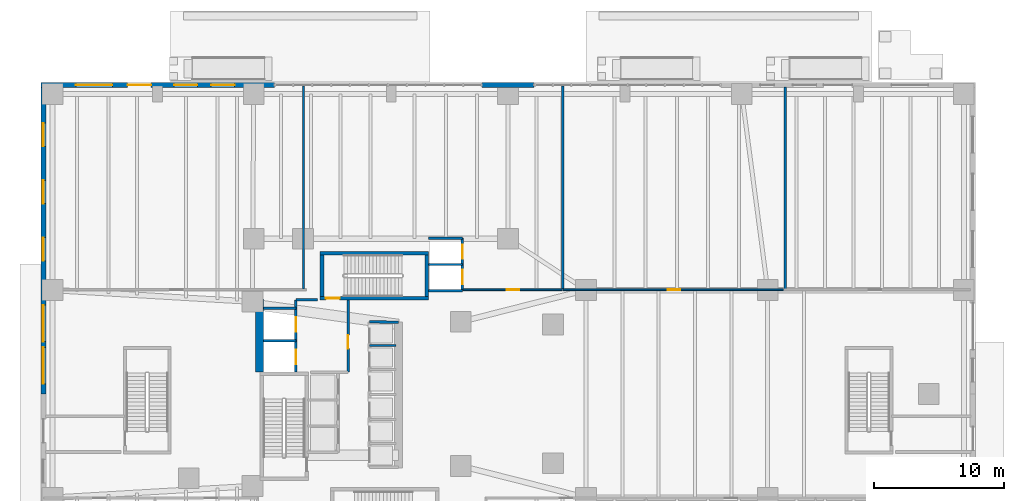
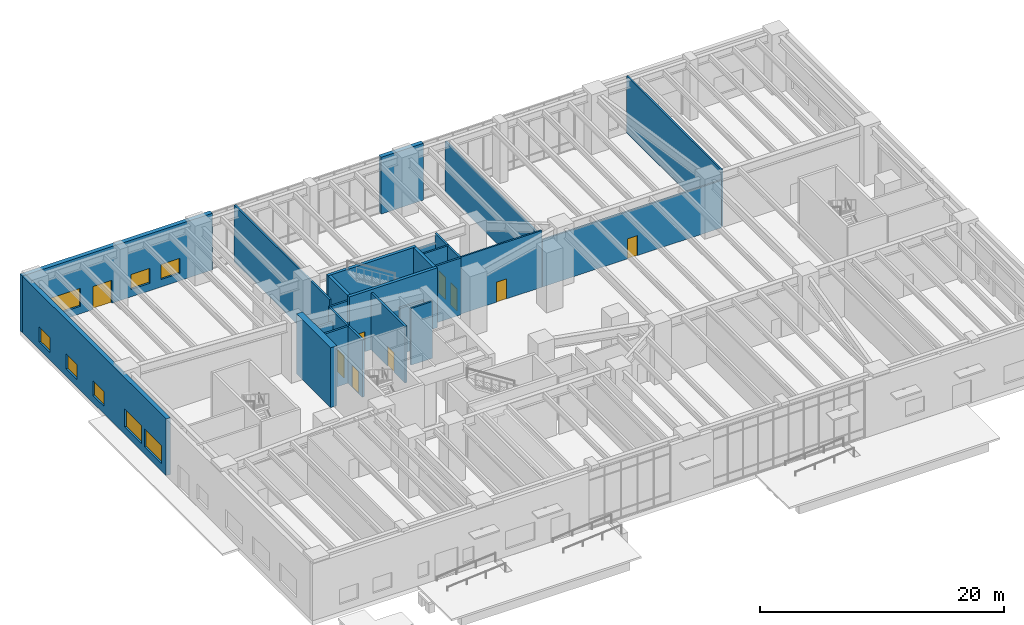
# One storey, part 21 of 28: 24 walls, 9 doors, 8 windows, 17 openings.
"""IFC4 building model written with IfcOpenShell, lengths in metres."""

from ifc_helpers import new_model, si_unit, direction, frame, frame_2d, origin, place, context, subcontext, project, spatial, rectangle, extrude, material, layer, layer_set, type_object, element, fill, save


model = new_model("IFC4")

# Units and contexts
model_context = context("Model", 3, precision=1e-05, world=origin(), true_north=direction((0.0, 1.0)))
body_context = subcontext(model_context, "Body", "Model", "MODEL_VIEW")
ifc_project = project(units=[si_unit("LENGTHUNIT", "METRE"), si_unit("AREAUNIT", "SQUARE_METRE"), si_unit("VOLUMEUNIT", "CUBIC_METRE"), si_unit("PLANEANGLEUNIT", "RADIAN"), si_unit("MASSUNIT", "GRAM", prefix="KILO"), si_unit("THERMODYNAMICTEMPERATUREUNIT", "KELVIN"), si_unit("POWERUNIT", "WATT")], contexts=[model_context])

# Site, building, storey
site_placement = place(None, origin())
site = spatial("IfcSite", under=ifc_project, at=site_placement, CompositionType="ELEMENT")
building_placement = place(site_placement, origin())
building = spatial("IfcBuilding", under=site, at=building_placement, Name="Skarre Station Tower", CompositionType="ELEMENT")
storey_placement = place(building_placement, origin())
storey = spatial("IfcBuildingStorey", under=building, at=storey_placement, Name="L01", CompositionType="ELEMENT", Elevation=0.0)

# Wall, opening, door
ifc_material_1 = material(Name="Acoustic Steel-Stud Gypsum Partition", Category="steel")
ifc_layer_1 = layer(ifc_material_1, 0.14990234375, Name="Acoustic Steel-Stud Gypsum Partition")
ifc_layer_set_1 = layer_set([ifc_layer_1], Name="Acoustic Steel-Stud Gypsum Partition")
wall_type_1 = type_object("IfcWallType", Name="Fire-Rated Corridor Acoustic Partition 150", PredefinedType="PARTITIONING", material=ifc_layer_set_1)
wall_1_placement = place(storey_placement, frame((40.18701171875, 32.02001953125, 0.0), z_axis=(0.0, 0.0, 1.0), x_axis=(-1.0, 0.0, 0.0)))
wall_1 = element("IfcWall", 1, at=wall_1_placement, inside=storey, type_object=wall_type_1, Name="L01 Interior Partition WL-PT-L01-PDN2-CW", PredefinedType="PARTITIONING", context=body_context, shape_type="SweptSolid", body=[
    extrude(rectangle(XDim=7.64599609375, YDim=0.14990234375, at=frame_2d((3.822998046875, 0.0))), origin(), (0.0, 0.0, 1.0), 5.68994140625),
])
opening_1_placement = place(wall_1_placement, frame((3.343017578125, 0.0, 0.0)))
opening_1 = element("IfcOpeningElement", 2, at=opening_1_placement, cuts=wall_1, Name="Opening DR-FD60", PredefinedType="OPENING", context=body_context, shape_type="SweptSolid", body=[
    extrude(rectangle(XDim=0.9599609375, YDim=2.0, at=frame_2d((0.47998046875, 1.0))), frame((0.0, 0.0849609375, 0.0), z_axis=(0.0, -1.0, 0.0), x_axis=(1.0, 0.0, 0.0)), (0.0, 0.0, 1.0), 0.169921875),
])
ifc_material_2 = material(Name="Nordic White-Oak Veneer Solid-Core Fire Leaf", Category="wood")
door_type_1 = type_object("IfcDoorType", Name="Corridor Suite Entry Fire Door FD60 960x2150", OperationType="SINGLE_SWING_LEFT", PredefinedType="DOOR", material=ifc_material_2)
door_1_placement = place(opening_1_placement, origin())
door_1 = element("IfcDoor", 3, at=door_1_placement, inside=storey, type_object=door_type_1, Name="L01 PDN2 Entry Door", OperationType="SINGLE_SWING_LEFT", OverallHeight=2.0, OverallWidth=0.9599609375, PredefinedType="DOOR", context=body_context, shape_type="SweptSolid", body=[
    extrude(rectangle(XDim=0.9599609375, YDim=2.0, at=frame_2d((0.47998046875, 1.0))), frame((0.0, 0.02490234375, 0.0), z_axis=(0.0, -1.0, 0.0), x_axis=(1.0, 0.0, 0.0)), (0.0, 0.0, 1.0), 0.050048828125),
])
fill(opening_1, door_1)

wall_2_placement = place(storey_placement, frame((57.214111328125, 32.02001953125, 0.0), z_axis=(0.0, 0.0, 1.0), x_axis=(-1.0, 0.0, 0.0)))
wall_2 = element("IfcWall", 4, at=wall_2_placement, inside=storey, type_object=wall_type_1, Name="L01 Interior Partition WL-PT-L01-PDN3-CW", PredefinedType="PARTITIONING", context=body_context, shape_type="SweptSolid", body=[
    extrude(rectangle(XDim=16.97509765625, YDim=0.14990234375, at=frame_2d((8.487548828125, 0.0))), origin(), (0.0, 0.0, 1.0), 4.741943359375),
])
opening_2_placement = place(wall_2_placement, frame((7.9560546875, 0.0, 0.0)))
opening_2 = element("IfcOpeningElement", 5, at=opening_2_placement, cuts=wall_2, Name="Opening DR-FD60", PredefinedType="OPENING", context=body_context, shape_type="SweptSolid", body=[
    extrude(rectangle(XDim=0.9599609375, YDim=2.0, at=frame_2d((0.47998046875, 1.0))), frame((0.0, 0.0849609375, 0.0), z_axis=(0.0, -1.0, 0.0), x_axis=(1.0, 0.0, 0.0)), (0.0, 0.0, 1.0), 0.169921875),
])
door_2_placement = place(opening_2_placement, origin())
door_2 = element("IfcDoor", 6, at=door_2_placement, inside=storey, type_object=door_type_1, Name="L01 PDN3 Entry Door", OperationType="SINGLE_SWING_LEFT", OverallHeight=2.0, OverallWidth=0.9599609375, PredefinedType="DOOR", context=body_context, shape_type="SweptSolid", body=[
    extrude(rectangle(XDim=0.9599609375, YDim=2.0, at=frame_2d((0.47998046875, 1.0))), frame((0.0, 0.02490234375, 0.0), z_axis=(0.0, -1.0, 0.0), x_axis=(1.0, 0.0, 0.0)), (0.0, 0.0, 1.0), 0.050048828125),
])
fill(opening_2, door_2)

# Wall, openings, door, windows
ifc_material_3 = material(Name="Precast concrete C45/55", Category="concrete")
ifc_layer_2 = layer(ifc_material_3, 0.39990234375, Name="Precast concrete C45/55")
ifc_layer_set_2 = layer_set([ifc_layer_2], Name="Precast concrete C45/55")
wall_type_2 = type_object("IfcWallType", Name="Nordic Granite Station Podium Wall 400", PredefinedType="STANDARD", material=ifc_layer_set_2)
wall_3_placement = place(storey_placement, frame((0.0, 47.800048828125, 0.0), z_axis=(0.0, 0.0, 1.0), x_axis=(1.0, 0.0, 0.0)))
wall_3 = element("IfcWall", 7, at=wall_3_placement, inside=storey, type_object=wall_type_2, Name="L01 North Podium Granite Wall NA", PredefinedType="STANDARD", context=body_context, shape_type="SweptSolid", body=[
    extrude(rectangle(XDim=18.0, YDim=0.39990234375, at=frame_2d((9.0, 0.0))), origin(), (0.0, 0.0, 1.0), 5.68994140625),
])
opening_3_placement = place(wall_3_placement, frame((6.699951171875, 0.0, 0.0)))
opening_3 = element("IfcOpeningElement", 8, at=opening_3_placement, cuts=wall_3, Name="Opening DR-EXIT180", PredefinedType="OPENING", context=body_context, shape_type="SweptSolid", body=[
    extrude(rectangle(XDim=1.800048828125, YDim=2.300048828125, at=frame_2d((0.89990234375, 1.14990234375))), frame((0.0, 0.2099609375, 0.0), z_axis=(0.0, -1.0, 0.0), x_axis=(1.0, 0.0, 0.0)), (0.0, 0.0, 1.0), 0.419921875),
])
opening_4_placement = place(wall_3_placement, frame((2.7099609375, 0.0, 0.75)))
opening_4 = element("IfcOpeningElement", 9, at=opening_4_placement, cuts=wall_3, Name="Opening WN-POD", PredefinedType="OPENING", context=body_context, shape_type="SweptSolid", body=[
    extrude(rectangle(XDim=2.800048828125, YDim=1.800048828125, at=frame_2d((1.39990234375, 0.89990234375))), frame((0.0, 0.2099609375, 0.0), z_axis=(0.0, -1.0, 0.0), x_axis=(1.0, 0.0, 0.0)), (0.0, 0.0, 1.0), 0.419921875),
])
opening_5_placement = place(wall_3_placement, frame((10.27001953125, 0.0, 0.75)))
opening_5 = element("IfcOpeningElement", 10, at=opening_5_placement, cuts=wall_3, Name="Opening WN-Z1A", PredefinedType="OPENING", context=body_context, shape_type="SweptSolid", body=[
    extrude(rectangle(XDim=1.800048828125, YDim=1.5, at=frame_2d((0.89990234375, 0.75))), frame((0.0, 0.2099609375, 0.0), z_axis=(0.0, -1.0, 0.0), x_axis=(1.0, 0.0, 0.0)), (0.0, 0.0, 1.0), 0.419921875),
])
opening_6_placement = place(wall_3_placement, frame((13.1298828125, 0.0, 0.75)))
opening_6 = element("IfcOpeningElement", 11, at=opening_6_placement, cuts=wall_3, Name="Opening WN-Z1A", PredefinedType="OPENING", context=body_context, shape_type="SweptSolid", body=[
    extrude(rectangle(XDim=1.800048828125, YDim=1.5, at=frame_2d((0.89990234375, 0.75))), frame((0.0, 0.2099609375, 0.0), z_axis=(0.0, -1.0, 0.0), x_axis=(1.0, 0.0, 0.0)), (0.0, 0.0, 1.0), 0.419921875),
])
ifc_material_4 = material(Name="Insulated Galvanized Steel Hollow-Metal Door", Category="steel")
door_type_2 = type_object("IfcDoorType", Name="Concourse Emergency Exit Discharge Door 1800x2300", OperationType="DOUBLE_DOOR_SINGLE_SWING", PredefinedType="DOOR", material=ifc_material_4)
door_3_placement = place(opening_3_placement, origin())
door_3 = element("IfcDoor", 12, at=door_3_placement, inside=storey, type_object=door_type_2, Name="L01 North West Stair Discharge Exit Door", OperationType="SINGLE_SWING_LEFT", OverallHeight=2.300048828125, OverallWidth=1.800048828125, PredefinedType="DOOR", context=body_context, shape_type="SweptSolid", body=[
    extrude(rectangle(XDim=1.800048828125, YDim=2.300048828125, at=frame_2d((0.89990234375, 1.14990234375))), frame((0.0, 0.02490234375, 0.0), z_axis=(0.0, -1.0, 0.0), x_axis=(1.0, 0.0, 0.0)), (0.0, 0.0, 1.0), 0.050048828125),
])
fill(opening_3, door_3)
ifc_material_5 = material(Name="Low-Iron Triple Glazing with Bronze Anodized Frame", Category="glass")
window_type_1 = type_object("IfcWindowType", Name="Nordic Punched Triple-Glazed Window 1800x1500", PartitioningType="SINGLE_PANEL", PredefinedType="WINDOW", material=ifc_material_5)
window_1_placement = place(opening_5_placement, origin())
window_1 = element("IfcWindow", 13, at=window_1_placement, inside=storey, type_object=window_type_1, Name="L01 Facade Window WL-POD-L01-NA-2", OverallHeight=1.5, OverallWidth=1.800048828125, PartitioningType="SINGLE_PANEL", PredefinedType="WINDOW", context=body_context, shape_type="SweptSolid", body=[
    extrude(rectangle(XDim=1.800048828125, YDim=1.5, at=frame_2d((0.89990234375, 0.75))), frame((0.0, 0.030029296875, 0.0), z_axis=(0.0, -1.0, 0.0), x_axis=(1.0, 0.0, 0.0)), (0.0, 0.0, 1.0), 0.06005859375),
])
fill(opening_5, window_1)
window_2_placement = place(opening_6_placement, origin())
window_2 = element("IfcWindow", 14, at=window_2_placement, inside=storey, type_object=window_type_1, Name="L01 Facade Window WL-POD-L01-NA-3", OverallHeight=1.5, OverallWidth=1.800048828125, PartitioningType="SINGLE_PANEL", PredefinedType="WINDOW", context=body_context, shape_type="SweptSolid", body=[
    extrude(rectangle(XDim=1.800048828125, YDim=1.5, at=frame_2d((0.89990234375, 0.75))), frame((0.0, 0.030029296875, 0.0), z_axis=(0.0, -1.0, 0.0), x_axis=(1.0, 0.0, 0.0)), (0.0, 0.0, 1.0), 0.06005859375),
])
fill(opening_6, window_2)
window_type_2 = type_object("IfcWindowType", Name="Podium Clerestory Ribbon Window 2800x1800", PartitioningType="SINGLE_PANEL", PredefinedType="WINDOW", material=ifc_material_5)
window_3_placement = place(opening_4_placement, origin())
window_3 = element("IfcWindow", 15, at=window_3_placement, inside=storey, type_object=window_type_2, Name="L01 Facade Window WL-POD-L01-NA-1", OverallHeight=1.800048828125, OverallWidth=2.800048828125, PartitioningType="SINGLE_PANEL", PredefinedType="WINDOW", context=body_context, shape_type="SweptSolid", body=[
    extrude(rectangle(XDim=2.800048828125, YDim=1.800048828125, at=frame_2d((1.39990234375, 0.89990234375))), frame((0.0, 0.030029296875, 0.0), z_axis=(0.0, -1.0, 0.0), x_axis=(1.0, 0.0, 0.0)), (0.0, 0.0, 1.0), 0.06005859375),
])
fill(opening_4, window_3)

# Wall
wall_4_placement = place(storey_placement, frame((34.0, 47.800048828125, 0.0), z_axis=(0.0, 0.0, 1.0), x_axis=(1.0, 0.0, 0.0)))
element("IfcWall", 16, at=wall_4_placement, inside=storey, type_object=wall_type_2, Name="L01 North Podium Granite Wall NB", PredefinedType="STANDARD", context=body_context, shape_type="SweptSolid", body=[
    extrude(rectangle(XDim=4.0, YDim=0.39990234375, at=frame_2d((2.0, 0.0))), origin(), (0.0, 0.0, 1.0), 5.68994140625),
])

# Wall, openings, windows
wall_5_placement = place(storey_placement, frame((0.199951171875, 24.0, 0.0), z_axis=(0.0, 0.0, 1.0), x_axis=(0.0, 1.0, 0.0)))
wall_5 = element("IfcWall", 17, at=wall_5_placement, inside=storey, type_object=wall_type_2, Name="L01 Podium Granite Wall WB", PredefinedType="STANDARD", context=body_context, shape_type="SweptSolid", body=[
    extrude(rectangle(XDim=23.60009765625, YDim=0.39990234375, at=frame_2d((11.800048828125, 0.0))), origin(), (0.0, 0.0, 1.0), 5.68994140625),
])
opening_7_placement = place(wall_5_placement, frame((0.778076171875, 0.0, 0.75)))
opening_7 = element("IfcOpeningElement", 18, at=opening_7_placement, cuts=wall_5, Name="Opening WN-POD", PredefinedType="OPENING", context=body_context, shape_type="SweptSolid", body=[
    extrude(rectangle(XDim=2.800048828125, YDim=1.800048828125, at=frame_2d((1.39990234375, 0.89990234375))), frame((0.0, 0.2099609375, 0.0), z_axis=(0.0, -1.0, 0.0), x_axis=(1.0, 0.0, 0.0)), (0.0, 0.0, 1.0), 0.419921875),
])
opening_8_placement = place(wall_5_placement, frame((4.032958984375, 0.0, 0.75)))
opening_8 = element("IfcOpeningElement", 19, at=opening_8_placement, cuts=wall_5, Name="Opening WN-POD", PredefinedType="OPENING", context=body_context, shape_type="SweptSolid", body=[
    extrude(rectangle(XDim=2.800048828125, YDim=1.800048828125, at=frame_2d((1.39990234375, 0.89990234375))), frame((0.0, 0.2099609375, 0.0), z_axis=(0.0, -1.0, 0.0), x_axis=(1.0, 0.0, 0.0)), (0.0, 0.0, 1.0), 0.419921875),
])
opening_9_placement = place(wall_5_placement, frame((10.242919921875, 0.0, 0.75)))
opening_9 = element("IfcOpeningElement", 20, at=opening_9_placement, cuts=wall_5, Name="Opening WN-Z1A", PredefinedType="OPENING", context=body_context, shape_type="SweptSolid", body=[
    extrude(rectangle(XDim=1.800048828125, YDim=1.5, at=frame_2d((0.89990234375, 0.75))), frame((0.0, 0.2099609375, 0.0), z_axis=(0.0, -1.0, 0.0), x_axis=(1.0, 0.0, 0.0)), (0.0, 0.0, 1.0), 0.419921875),
])
opening_10_placement = place(wall_5_placement, frame((14.64990234375, 0.0, 0.75)))
opening_10 = element("IfcOpeningElement", 21, at=opening_10_placement, cuts=wall_5, Name="Opening WN-Z1A", PredefinedType="OPENING", context=body_context, shape_type="SweptSolid", body=[
    extrude(rectangle(XDim=1.800048828125, YDim=1.5, at=frame_2d((0.89990234375, 0.75))), frame((0.0, 0.2099609375, 0.0), z_axis=(0.0, -1.0, 0.0), x_axis=(1.0, 0.0, 0.0)), (0.0, 0.0, 1.0), 0.419921875),
])
opening_11_placement = place(wall_5_placement, frame((19.056884765625, 0.0, 0.75)))
opening_11 = element("IfcOpeningElement", 22, at=opening_11_placement, cuts=wall_5, Name="Opening WN-Z1A", PredefinedType="OPENING", context=body_context, shape_type="SweptSolid", body=[
    extrude(rectangle(XDim=1.800048828125, YDim=1.5, at=frame_2d((0.89990234375, 0.75))), frame((0.0, 0.2099609375, 0.0), z_axis=(0.0, -1.0, 0.0), x_axis=(1.0, 0.0, 0.0)), (0.0, 0.0, 1.0), 0.419921875),
])
window_4_placement = place(opening_9_placement, origin())
window_4 = element("IfcWindow", 23, at=window_4_placement, inside=storey, type_object=window_type_1, Name="L01 Facade Window WL-POD-L01-WB-3", OverallHeight=1.5, OverallWidth=1.800048828125, PartitioningType="SINGLE_PANEL", PredefinedType="WINDOW", context=body_context, shape_type="SweptSolid", body=[
    extrude(rectangle(XDim=1.800048828125, YDim=1.5, at=frame_2d((0.89990234375, 0.75))), frame((0.0, 0.030029296875, 0.0), z_axis=(0.0, -1.0, 0.0), x_axis=(1.0, 0.0, 0.0)), (0.0, 0.0, 1.0), 0.06005859375),
])
fill(opening_9, window_4)
window_5_placement = place(opening_10_placement, origin())
window_5 = element("IfcWindow", 24, at=window_5_placement, inside=storey, type_object=window_type_1, Name="L01 Facade Window WL-POD-L01-WB-4", OverallHeight=1.5, OverallWidth=1.800048828125, PartitioningType="SINGLE_PANEL", PredefinedType="WINDOW", context=body_context, shape_type="SweptSolid", body=[
    extrude(rectangle(XDim=1.800048828125, YDim=1.5, at=frame_2d((0.89990234375, 0.75))), frame((0.0, 0.030029296875, 0.0), z_axis=(0.0, -1.0, 0.0), x_axis=(1.0, 0.0, 0.0)), (0.0, 0.0, 1.0), 0.06005859375),
])
fill(opening_10, window_5)
window_6_placement = place(opening_11_placement, origin())
window_6 = element("IfcWindow", 25, at=window_6_placement, inside=storey, type_object=window_type_1, Name="L01 Facade Window WL-POD-L01-WB-5", OverallHeight=1.5, OverallWidth=1.800048828125, PartitioningType="SINGLE_PANEL", PredefinedType="WINDOW", context=body_context, shape_type="SweptSolid", body=[
    extrude(rectangle(XDim=1.800048828125, YDim=1.5, at=frame_2d((0.89990234375, 0.75))), frame((0.0, 0.030029296875, 0.0), z_axis=(0.0, -1.0, 0.0), x_axis=(1.0, 0.0, 0.0)), (0.0, 0.0, 1.0), 0.06005859375),
])
fill(opening_11, window_6)
window_7_placement = place(opening_7_placement, origin())
window_7 = element("IfcWindow", 26, at=window_7_placement, inside=storey, type_object=window_type_2, Name="L01 Facade Window WL-POD-L01-WB-1", OverallHeight=1.800048828125, OverallWidth=2.800048828125, PartitioningType="SINGLE_PANEL", PredefinedType="WINDOW", context=body_context, shape_type="SweptSolid", body=[
    extrude(rectangle(XDim=2.800048828125, YDim=1.800048828125, at=frame_2d((1.39990234375, 0.89990234375))), frame((0.0, 0.030029296875, 0.0), z_axis=(0.0, -1.0, 0.0), x_axis=(1.0, 0.0, 0.0)), (0.0, 0.0, 1.0), 0.06005859375),
])
fill(opening_7, window_7)
window_8_placement = place(opening_8_placement, origin())
window_8 = element("IfcWindow", 27, at=window_8_placement, inside=storey, type_object=window_type_2, Name="L01 Facade Window WL-POD-L01-WB-2", OverallHeight=1.800048828125, OverallWidth=2.800048828125, PartitioningType="SINGLE_PANEL", PredefinedType="WINDOW", context=body_context, shape_type="SweptSolid", body=[
    extrude(rectangle(XDim=2.800048828125, YDim=1.800048828125, at=frame_2d((1.39990234375, 0.89990234375))), frame((0.0, 0.030029296875, 0.0), z_axis=(0.0, -1.0, 0.0), x_axis=(1.0, 0.0, 0.0)), (0.0, 0.0, 1.0), 0.06005859375),
])
fill(opening_8, window_8)

# Wall, opening, door
ifc_material_6 = material(Name="Concrete C50/60", Category="concrete")
ifc_layer_3 = layer(ifc_material_6, 0.280029296875, Name="Concrete C50/60")
ifc_layer_set_3 = layer_set([ifc_layer_3], Name="Concrete C50/60")
wall_type_3 = type_object("IfcWallType", Name="RC Core Shear Wall 280", PredefinedType="SHEAR", material=ifc_layer_set_3)
wall_6_placement = place(storey_placement, frame((21.52001953125, 31.360107421875, 0.0), z_axis=(0.0, 0.0, 1.0), x_axis=(1.0, 0.0, 0.0)))
wall_6 = element("IfcWall", 28, at=wall_6_placement, inside=storey, type_object=wall_type_3, Name="L01 Stair ST-3 South Shear Wall", PredefinedType="SHEAR", context=body_context, shape_type="SweptSolid", body=[
    extrude(rectangle(XDim=8.35986328125, YDim=0.280029296875, at=frame_2d((4.179931640625, 0.0))), origin(), (0.0, 0.0, 1.0), 6.0),
])
opening_12_placement = place(wall_6_placement, frame((0.449951171875, 0.0, 0.0)))
opening_12 = element("IfcOpeningElement", 29, at=opening_12_placement, cuts=wall_6, Name="Opening DR-FD90", PredefinedType="OPENING", context=body_context, shape_type="SweptSolid", body=[
    extrude(rectangle(XDim=1.050048828125, YDim=2.0, at=frame_2d((0.52490234375, 1.0))), frame((0.0, 0.14990234375, 0.0), z_axis=(0.0, -1.0, 0.0), x_axis=(1.0, 0.0, 0.0)), (0.0, 0.0, 1.0), 0.300048828125),
])
ifc_material_7 = material(Name="Fire-Rated Insulated Steel Frame & Timber Core Leaf", Category="steel")
door_type_3 = type_object("IfcDoorType", Name="Stair & FSAE Lobby Fire Door FD90 1050x2150", OperationType="SINGLE_SWING_RIGHT", PredefinedType="DOOR", material=ifc_material_7)
door_4_placement = place(opening_12_placement, origin())
door_4 = element("IfcDoor", 30, at=door_4_placement, inside=storey, type_object=door_type_3, Name="L01 Stair ST-3 & FSAE Lobby Direct Exit Door", OperationType="SINGLE_SWING_LEFT", OverallHeight=2.0, OverallWidth=1.050048828125, PredefinedType="DOOR", context=body_context, shape_type="SweptSolid", body=[
    extrude(rectangle(XDim=1.050048828125, YDim=2.0, at=frame_2d((0.52490234375, 1.0))), frame((0.0, 0.02490234375, 0.0), z_axis=(0.0, -1.0, 0.0), x_axis=(1.0, 0.0, 0.0)), (0.0, 0.0, 1.0), 0.050048828125),
])
fill(opening_12, door_4)

# Walls
wall_7_placement = place(storey_placement, frame((29.8798828125, 34.840087890625, 0.0), z_axis=(0.0, 0.0, 1.0), x_axis=(-1.0, 0.0, 0.0)))
element("IfcWall", 31, at=wall_7_placement, inside=storey, type_object=wall_type_3, Name="L01 Stair ST-3 North Shear Wall", PredefinedType="SHEAR", context=body_context, shape_type="SweptSolid", body=[
    extrude(rectangle(XDim=8.35986328125, YDim=0.280029296875, at=frame_2d((4.179931640625, 0.0))), origin(), (0.0, 0.0, 1.0), 6.0),
])
for number, where, z_axis, x_axis, name in (
    (32, (21.659912109375, 34.699951171875, 0.0), (0.0, 0.0, 1.0), (0.0, -1.0, 0.0), "L01 Stair ST-3 West Shear Wall"),
    (33, (29.739990234375, 31.5, 0.0), (0.0, 0.0, 1.0), (0.0, 1.0, 0.0), "L01 Stair ST-3 East Shear Wall"),
):
    element("IfcWall", number, at=place(storey_placement, frame(where, z_axis=z_axis, x_axis=x_axis)), inside=storey, type_object=wall_type_3, Name=name, PredefinedType="SHEAR", context=body_context, shape_type="SweptSolid", body=[
        extrude(rectangle(XDim=3.199951171875, YDim=0.280029296875, at=frame_2d((1.60009765625, 0.0))), origin(), (0.0, 0.0, 1.0), 6.0),
    ])
ifc_material_8 = material(Name="Concrete C70/85", Category="concrete")
ifc_layer_4 = layer(ifc_material_8, 0.60009765625, Name="Concrete C70/85")
ifc_layer_set_4 = layer_set([ifc_layer_4], Name="Concrete C70/85")
wall_type_4 = type_object("IfcWallType", Name="RC Core Shear Wall 600", PredefinedType="SHEAR", material=ifc_layer_set_4)
wall_8_placement = place(storey_placement, frame((16.85009765625, 25.679931640625, 0.0), z_axis=(0.0, 0.0, 1.0), x_axis=(0.0, 1.0, 0.0)))
element("IfcWall", 34, at=wall_8_placement, inside=storey, type_object=wall_type_4, Name="L01 Core West-North Shear Wall", PredefinedType="SHEAR", context=body_context, shape_type="SweptSolid", body=[
    extrude(rectangle(XDim=5.6201171875, YDim=0.60009765625, at=frame_2d((2.81005859375, 0.0))), origin(), (0.0, 0.0, 1.0), 6.0),
])

# Wall, openings, doors
ifc_material_9 = material(Name="Gypsum Concrete Shaft Assembly C30/37", Category="concrete")
ifc_layer_5 = layer(ifc_material_9, 0.199951171875, Name="Gypsum Concrete Shaft Assembly C30/37")
ifc_layer_set_5 = layer_set([ifc_layer_5], Name="Gypsum Concrete Shaft Assembly C30/37")
wall_type_5 = type_object("IfcWallType", Name="Shaft & Core Fire Partition 200", PredefinedType="PARTITIONING", material=ifc_layer_set_5)
wall_9_placement = place(storey_placement, frame((19.64990234375, 25.679931640625, 0.0), z_axis=(0.0, 0.0, 1.0), x_axis=(0.0, 1.0, 0.0)))
wall_9 = element("IfcWall", 35, at=wall_9_placement, inside=storey, type_object=wall_type_5, Name="L01 Interior Partition WL-PT-L01-FSAE-W", PredefinedType="PARTITIONING", context=body_context, shape_type="SweptSolid", body=[
    extrude(rectangle(XDim=5.5400390625, YDim=0.199951171875, at=frame_2d((2.77001953125, 0.0))), origin(), (0.0, 0.0, 1.0), 5.68994140625),
])
opening_13_placement = place(wall_9_placement, frame((0.6201171875, 0.0, 0.0)))
opening_13 = element("IfcOpeningElement", 36, at=opening_13_placement, cuts=wall_9, Name="Opening LD-FF1", PredefinedType="OPENING", context=body_context, shape_type="SweptSolid", body=[
    extrude(rectangle(XDim=1.10009765625, YDim=2.199951171875, at=frame_2d((0.550048828125, 1.10009765625))), frame((0.0, 0.10986328125, 0.0), z_axis=(0.0, -1.0, 0.0), x_axis=(1.0, 0.0, 0.0)), (0.0, 0.0, 1.0), 0.219970703125),
])
opening_14_placement = place(wall_9_placement, frame((3.1201171875, 0.0, 0.0)))
opening_14 = element("IfcOpeningElement", 37, at=opening_14_placement, cuts=wall_9, Name="Opening LD-FF2", PredefinedType="OPENING", context=body_context, shape_type="SweptSolid", body=[
    extrude(rectangle(XDim=1.10009765625, YDim=2.199951171875, at=frame_2d((0.550048828125, 1.10009765625))), frame((0.0, 0.10986328125, 0.0), z_axis=(0.0, -1.0, 0.0), x_axis=(1.0, 0.0, 0.0)), (0.0, 0.0, 1.0), 0.219970703125),
])
ifc_material_10 = material(Name="Fire-Rated Stainless Steel Grade 316L Sliding Leaves", Category="steel")
door_type_4 = type_object("IfcDoorType", Name="Fire Service Access Elevator Sliding Landing Door 1100x2200", OperationType="SLIDING_TO_LEFT", PredefinedType="DOOR", material=ifc_material_10)
door_5_placement = place(opening_13_placement, origin())
door_5 = element("IfcDoor", 38, at=door_5_placement, inside=storey, type_object=door_type_4, Name="L01 Firefighting Lift LF-FF1 Landing Door", OperationType="SLIDING_TO_LEFT", OverallHeight=2.199951171875, OverallWidth=1.10009765625, PredefinedType="DOOR", context=body_context, shape_type="SweptSolid", body=[
    extrude(rectangle(XDim=1.10009765625, YDim=2.199951171875, at=frame_2d((0.550048828125, 1.10009765625))), frame((0.0, 0.02490234375, 0.0), z_axis=(0.0, -1.0, 0.0), x_axis=(1.0, 0.0, 0.0)), (0.0, 0.0, 1.0), 0.050048828125),
])
fill(opening_13, door_5)
door_6_placement = place(opening_14_placement, origin())
door_6 = element("IfcDoor", 39, at=door_6_placement, inside=storey, type_object=door_type_4, Name="L01 Firefighting Lift LF-FF2 Landing Door", OperationType="SLIDING_TO_LEFT", OverallHeight=2.199951171875, OverallWidth=1.10009765625, PredefinedType="DOOR", context=body_context, shape_type="SweptSolid", body=[
    extrude(rectangle(XDim=1.10009765625, YDim=2.199951171875, at=frame_2d((0.550048828125, 1.10009765625))), frame((0.0, 0.02490234375, 0.0), z_axis=(0.0, -1.0, 0.0), x_axis=(1.0, 0.0, 0.0)), (0.0, 0.0, 1.0), 0.050048828125),
])
fill(opening_14, door_6)

# Wall, opening, door
wall_10_placement = place(storey_placement, frame((23.679931640625, 25.679931640625, 0.0), z_axis=(0.0, 0.0, 1.0), x_axis=(0.0, 1.0, 0.0)))
wall_10 = element("IfcWall", 40, at=wall_10_placement, inside=storey, type_object=wall_type_5, Name="L01 Interior Partition WL-PT-L01-FSAE-E", PredefinedType="PARTITIONING", context=body_context, shape_type="SweptSolid", body=[
    extrude(rectangle(XDim=5.5400390625, YDim=0.199951171875, at=frame_2d((2.77001953125, 0.0))), origin(), (0.0, 0.0, 1.0), 5.68994140625),
])
opening_15_placement = place(wall_10_placement, frame((1.800048828125, 0.0, 0.0)))
opening_15 = element("IfcOpeningElement", 41, at=opening_15_placement, cuts=wall_10, Name="Opening DR-FD90", PredefinedType="OPENING", context=body_context, shape_type="SweptSolid", body=[
    extrude(rectangle(XDim=1.050048828125, YDim=2.0, at=frame_2d((0.52490234375, 1.0))), frame((0.0, 0.10986328125, 0.0), z_axis=(0.0, -1.0, 0.0), x_axis=(1.0, 0.0, 0.0)), (0.0, 0.0, 1.0), 0.219970703125),
])
door_7_placement = place(opening_15_placement, origin())
door_7 = element("IfcDoor", 42, at=door_7_placement, inside=storey, type_object=door_type_3, Name="L01 FSAE Lobby Fire Door", OperationType="SINGLE_SWING_RIGHT", OverallHeight=2.0, OverallWidth=1.050048828125, PredefinedType="DOOR", context=body_context, shape_type="SweptSolid", body=[
    extrude(rectangle(XDim=1.050048828125, YDim=2.0, at=frame_2d((0.52490234375, 1.0))), frame((0.0, 0.02490234375, 0.0), z_axis=(0.0, -1.0, 0.0), x_axis=(1.0, 0.0, 0.0)), (0.0, 0.0, 1.0), 0.050048828125),
])
fill(opening_15, door_7)

# Walls
wall_11_placement = place(storey_placement, frame((21.330078125, 31.260009765625, 0.0), z_axis=(0.0, 0.0, 1.0), x_axis=(-1.0, 0.0, 0.0)))
element("IfcWall", 43, at=wall_11_placement, inside=storey, type_object=wall_type_5, Name="L01 Interior Partition WL-PT-L01-FSAE-N", PredefinedType="PARTITIONING", context=body_context, shape_type="SweptSolid", body=[
    extrude(rectangle(XDim=1.68017578125, YDim=0.199951171875, at=frame_2d((0.840087890625, 0.0))), origin(), (0.0, 0.0, 1.0), 5.68994140625),
])
wall_12_placement = place(storey_placement, frame((17.14990234375, 28.10009765625, 0.0), z_axis=(0.0, 0.0, 1.0), x_axis=(1.0, 0.0, 0.0)))
element("IfcWall", 44, at=wall_12_placement, inside=storey, type_object=wall_type_5, Name="L01 Interior Partition WL-PT-L01-FF-DIV", PredefinedType="PARTITIONING", context=body_context, shape_type="SweptSolid", body=[
    extrude(rectangle(XDim=2.5, YDim=0.199951171875, at=frame_2d((1.25, 0.0))), origin(), (0.0, 0.0, 1.0), 5.68994140625),
])
wall_13_placement = place(storey_placement, frame((19.64990234375, 30.60009765625, 0.0), z_axis=(0.0, 0.0, 1.0), x_axis=(-1.0, 0.0, 0.0)))
element("IfcWall", 45, at=wall_13_placement, inside=storey, type_object=wall_type_5, Name="L01 Interior Partition WL-PT-L01-FF-N", PredefinedType="PARTITIONING", context=body_context, shape_type="SweptSolid", body=[
    extrude(rectangle(XDim=2.5, YDim=0.199951171875, at=frame_2d((1.25, 0.0))), origin(), (0.0, 0.0, 1.0), 4.590087890625),
])

# Wall, openings, doors
wall_14_placement = place(storey_placement, frame((32.47998046875, 31.949951171875, 0.0), z_axis=(0.0, 0.0, 1.0), x_axis=(0.0, 1.0, 0.0)))
wall_14 = element("IfcWall", 46, at=wall_14_placement, inside=storey, type_object=wall_type_5, Name="L01 Interior Partition WL-PT-L01-EX-E", PredefinedType="PARTITIONING", context=body_context, shape_type="SweptSolid", body=[
    extrude(rectangle(XDim=4.050048828125, YDim=0.199951171875, at=frame_2d((2.02490234375, 0.0))), origin(), (0.0, 0.0, 1.0), 5.68994140625),
])
opening_16_placement = place(wall_14_placement, frame((0.5, 0.0, 0.0)))
opening_16 = element("IfcOpeningElement", 47, at=opening_16_placement, cuts=wall_14, Name="Opening LD-EX1", PredefinedType="OPENING", context=body_context, shape_type="SweptSolid", body=[
    extrude(rectangle(XDim=1.10009765625, YDim=2.199951171875, at=frame_2d((0.550048828125, 1.10009765625))), frame((0.0, 0.10986328125, 0.0), z_axis=(0.0, -1.0, 0.0), x_axis=(1.0, 0.0, 0.0)), (0.0, 0.0, 1.0), 0.219970703125),
])
opening_17_placement = place(wall_14_placement, frame((2.449951171875, 0.0, 0.0)))
opening_17 = element("IfcOpeningElement", 48, at=opening_17_placement, cuts=wall_14, Name="Opening LD-EX2", PredefinedType="OPENING", context=body_context, shape_type="SweptSolid", body=[
    extrude(rectangle(XDim=1.10009765625, YDim=2.199951171875, at=frame_2d((0.550048828125, 1.10009765625))), frame((0.0, 0.10986328125, 0.0), z_axis=(0.0, -1.0, 0.0), x_axis=(1.0, 0.0, 0.0)), (0.0, 0.0, 1.0), 0.219970703125),
])
ifc_material_11 = material(Name="Brushed Bronze Stainless Steel Sliding Leaves", Category="steel")
door_type_5 = type_object("IfcDoorType", Name="Passenger Elevator Center-Parting Sliding Door 1100x2200", OperationType="SLIDING_TO_LEFT", PredefinedType="DOOR", material=ifc_material_11)
door_8_placement = place(opening_16_placement, origin())
door_8 = element("IfcDoor", 49, at=door_8_placement, inside=storey, type_object=door_type_5, Name="L01 Shuttle Lift LF-EX1 Landing Door", OperationType="SLIDING_TO_LEFT", OverallHeight=2.199951171875, OverallWidth=1.10009765625, PredefinedType="DOOR", context=body_context, shape_type="SweptSolid", body=[
    extrude(rectangle(XDim=1.10009765625, YDim=2.199951171875, at=frame_2d((0.550048828125, 1.10009765625))), frame((0.0, 0.02490234375, 0.0), z_axis=(0.0, -1.0, 0.0), x_axis=(1.0, 0.0, 0.0)), (0.0, 0.0, 1.0), 0.050048828125),
])
fill(opening_16, door_8)
door_9_placement = place(opening_17_placement, origin())
door_9 = element("IfcDoor", 50, at=door_9_placement, inside=storey, type_object=door_type_5, Name="L01 Shuttle Lift LF-EX2 Landing Door", OperationType="SLIDING_TO_LEFT", OverallHeight=2.199951171875, OverallWidth=1.10009765625, PredefinedType="DOOR", context=body_context, shape_type="SweptSolid", body=[
    extrude(rectangle(XDim=1.10009765625, YDim=2.199951171875, at=frame_2d((0.550048828125, 1.10009765625))), frame((0.0, 0.02490234375, 0.0), z_axis=(0.0, -1.0, 0.0), x_axis=(1.0, 0.0, 0.0)), (0.0, 0.0, 1.0), 0.050048828125),
])
fill(opening_17, door_9)

# Walls
wall_15_placement = place(storey_placement, frame((29.8798828125, 36.0, 0.0), z_axis=(0.0, 0.0, 1.0), x_axis=(1.0, 0.0, 0.0)))
element("IfcWall", 51, at=wall_15_placement, inside=storey, type_object=wall_type_5, Name="L01 Interior Partition WL-PT-L01-EX-N", PredefinedType="PARTITIONING", context=body_context, shape_type="SweptSolid", body=[
    extrude(rectangle(XDim=2.60009765625, YDim=0.199951171875, at=frame_2d((1.300048828125, 0.0))), origin(), (0.0, 0.0, 1.0), 4.741943359375),
])
wall_16_placement = place(storey_placement, frame((32.47998046875, 31.949951171875, 0.0), z_axis=(0.0, 0.0, 1.0), x_axis=(-1.0, 0.0, 0.0)))
element("IfcWall", 52, at=wall_16_placement, inside=storey, type_object=wall_type_5, Name="L01 Interior Partition WL-PT-L01-EX-S", PredefinedType="PARTITIONING", context=body_context, shape_type="SweptSolid", body=[
    extrude(rectangle(XDim=2.60009765625, YDim=0.199951171875, at=frame_2d((1.300048828125, 0.0))), origin(), (0.0, 0.0, 1.0), 5.68994140625),
])
wall_17_placement = place(storey_placement, frame((29.875, 33.97998046875, 0.0), z_axis=(0.0, 0.0, 1.0), x_axis=(1.0, 0.0, 0.0)))
element("IfcWall", 53, at=wall_17_placement, inside=storey, type_object=wall_type_5, Name="L01 Interior Partition WL-PT-L01-EX-DIV", PredefinedType="PARTITIONING", context=body_context, shape_type="SweptSolid", body=[
    extrude(rectangle(XDim=2.60498046875, YDim=0.159912109375, at=frame_2d((1.302490234375, 0.0))), origin(), (0.0, 0.0, 1.0), 5.68994140625),
])
wall_18_placement = place(storey_placement, frame((27.550048828125, 29.52001953125, 0.0), z_axis=(0.0, 0.0, 1.0), x_axis=(-0.999909343457, 0.013464949556, 0.0)))
element("IfcWall", 54, at=wall_18_placement, inside=storey, type_object=wall_type_5, Name="L01 Interior Partition WL-PT-L01-B12-N", PredefinedType="PARTITIONING", context=body_context, shape_type="SweptSolid", body=[
    extrude(rectangle(XDim=2.230224609375, YDim=0.199951171875, at=frame_2d((1.115234375, 0.0))), origin(), (0.0, 0.0, 1.0), 4.590087890625),
])
wall_19_placement = place(storey_placement, frame((25.320068359375, 27.719970703125, 0.0), z_axis=(0.0, 0.0, 1.0), x_axis=(1.0, 0.0, 0.0)))
element("IfcWall", 55, at=wall_19_placement, inside=storey, type_object=wall_type_5, Name="L01 Interior Partition WL-PT-L01-B12-D277", PredefinedType="PARTITIONING", context=body_context, shape_type="SweptSolid", body=[
    extrude(rectangle(XDim=2.030029296875, YDim=0.159912109375, at=frame_2d((1.01513671875, 0.0))), origin(), (0.0, 0.0, 1.0), 5.68994140625),
])
ifc_layer_6 = layer(ifc_material_1, 0.1650390625, Name="Acoustic Steel-Stud Gypsum Partition")
ifc_layer_set_6 = layer_set([ifc_layer_6], Name="Acoustic Steel-Stud Gypsum Partition")
wall_type_6 = type_object("IfcWallType", Name="Suite Demising Acoustic Partition 165", PredefinedType="PARTITIONING", material=ifc_layer_set_6)
wall_20_placement = place(storey_placement, frame((20.22607421875, 32.090087890625, 0.0), z_axis=(0.0, 0.0, 1.0), x_axis=(0.0, 1.0, 0.0)))
element("IfcWall", 56, at=wall_20_placement, inside=storey, type_object=wall_type_6, Name="L01 Interior Partition WL-PT-L01-PDN-P1", PredefinedType="PARTITIONING", context=body_context, shape_type="SweptSolid", body=[
    extrude(rectangle(XDim=15.639892578125, YDim=0.1650390625, at=frame_2d((7.81982421875, 0.0))), origin(), (0.0, 0.0, 1.0), 5.68994140625),
])
wall_21_placement = place(storey_placement, frame((40.212890625, 32.090087890625, 0.0), z_axis=(0.0, 0.0, 1.0), x_axis=(0.0, 1.0, 0.0)))
element("IfcWall", 57, at=wall_21_placement, inside=storey, type_object=wall_type_6, Name="L01 Interior Partition WL-PT-L01-PDN-P2", PredefinedType="PARTITIONING", context=body_context, shape_type="SweptSolid", body=[
    extrude(rectangle(XDim=15.639892578125, YDim=0.1650390625, at=frame_2d((7.81982421875, 0.0))), origin(), (0.0, 0.0, 1.0), 5.08203125),
])
wall_22_placement = place(storey_placement, frame((57.343994140625, 32.090087890625, 0.0), z_axis=(0.0, 0.0, 1.0), x_axis=(0.0, 1.0, 0.0)))
element("IfcWall", 58, at=wall_22_placement, inside=storey, type_object=wall_type_6, Name="L01 Interior Partition WL-PT-L01-PDN-P3", PredefinedType="PARTITIONING", context=body_context, shape_type="SweptSolid", body=[
    extrude(rectangle(XDim=15.539794921875, YDim=0.1650390625, at=frame_2d((7.77001953125, 0.0))), origin(), (0.0, 0.0, 1.0), 5.68994140625),
])

save(model, "model.ifc")
